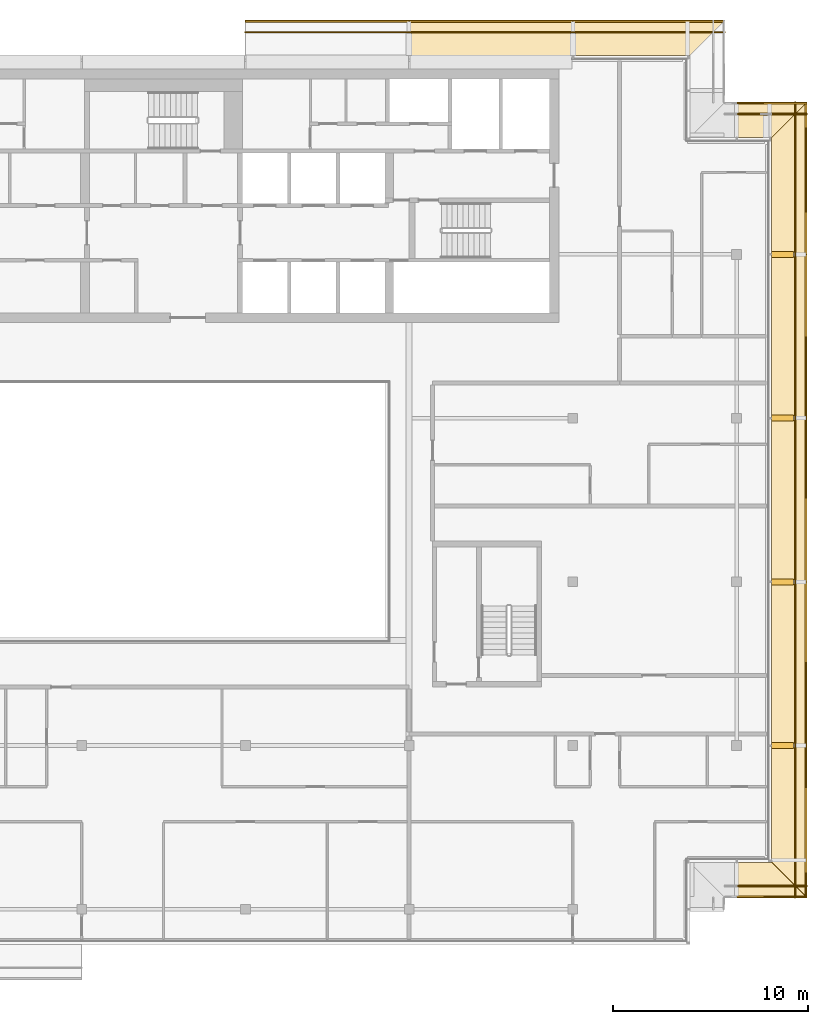
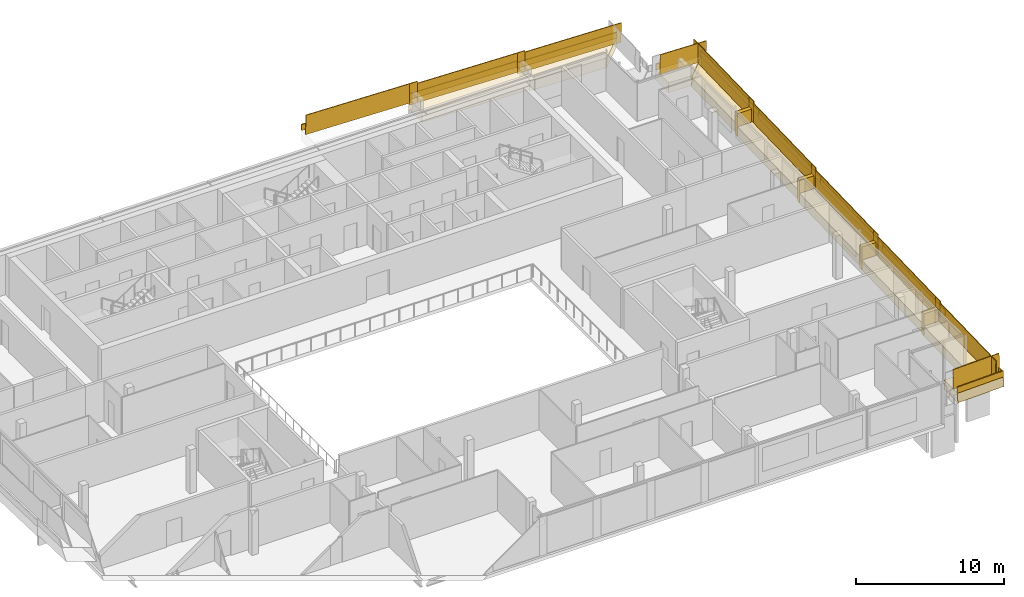
# One storey, part 25 of 27: 23 coverings, 16 railings.
"""IFC4 building model written with IfcOpenShell, lengths in metres."""

import ifcopenshell
import ifcopenshell.guid

model = None  # the IFC model being written
_history = None  # IfcOwnerHistory: only IFC2X3 demands one
_inside = {}  # id of a spatial element -> (the spatial element, [elements in it])
_under = {}  # id of a project, library or spatial element -> (it, [spatial elements below it])
_declared = {}  # id of a project -> (the project, [libraries it declares])
_typed = {}  # id of a type object -> (the type object, [elements of that type])
_made_of = {}  # id of a material, layer set ... -> (it, [elements and type objects made of it])


def new_model(schema):
    """Start an empty IFC model of exactly this schema.

    Asked for "IFC4X3", IfcOpenShell would pick the latest addendum, in which some entities
    have other attributes; the version numbers below select the first issue.
    IFC2X3 requires an IfcOwnerHistory on every rooted entity: one is made here for all.
    """
    global model, _history
    if schema == "IFC4X3":
        model = ifcopenshell.file(schema_version=(4, 3, 0, 0))
    else:
        model = ifcopenshell.file(schema=schema)
    _inside.clear()
    _under.clear()
    _declared.clear()
    _typed.clear()
    _made_of.clear()
    _history = None
    if model.schema == "IFC2X3":
        org = make("IfcOrganization", Name="unknown")
        user = make(
            "IfcPersonAndOrganization",
            ThePerson=make("IfcPerson", FamilyName="unknown"),
            TheOrganization=org,
        )
        app = make(
            "IfcApplication",
            ApplicationDeveloper=org,
            Version="unknown",
            ApplicationFullName="unknown",
            ApplicationIdentifier="unknown",
        )
        _history = make(
            "IfcOwnerHistory",
            OwningUser=user,
            OwningApplication=app,
            ChangeAction="ADDED",
            CreationDate=0,
        )
    return model


def make(cls, **values):
    """One entity of the class cls with the attributes given. An attribute that is None is left unset."""
    return model.create_entity(
        cls, **{name: value for name, value in values.items() if value is not None}
    )


def rooted(cls, **values):
    """An entity with a GlobalId (a new one), such as an element, a storey or a relation."""
    return make(cls, GlobalId=ifcopenshell.guid.new(), OwnerHistory=_history, **values)


def si_unit(unit_type, name, prefix=None):
    """IfcSIUnit, for example si_unit("LENGTHUNIT", "METRE", prefix="MILLI")."""
    return make("IfcSIUnit", UnitType=unit_type, Prefix=prefix, Name=name)


def assignment(units):
    """IfcUnitAssignment: the units of a project."""
    return None if units is None else make("IfcUnitAssignment", Units=units)


def point(xyz):
    """IfcCartesianPoint."""
    return None if xyz is None else make("IfcCartesianPoint", Coordinates=xyz)


def direction(xyz):
    """IfcDirection."""
    return None if xyz is None else make("IfcDirection", DirectionRatios=xyz)


def frame(location, z_axis=None, x_axis=None):
    """IfcAxis2Placement3D, a coordinate frame: its origin and axes. An axis left out is left unset."""
    return make(
        "IfcAxis2Placement3D",
        Location=point(location),
        Axis=direction(z_axis),
        RefDirection=direction(x_axis),
    )


def frame_2d(location, x_axis=None):
    """IfcAxis2Placement2D, a coordinate frame in the plane: its origin and x axis."""
    return make(
        "IfcAxis2Placement2D", Location=point(location), RefDirection=direction(x_axis)
    )


def origin():
    """The frame at (0, 0, 0) with its axes left unset."""
    return frame((0.0, 0.0, 0.0))


def origin_2d():
    """The frame at (0, 0) in the plane with its x axis left unset."""
    return frame_2d((0.0, 0.0))


def place(relative_to, where):
    """IfcLocalPlacement: puts the frame where relative to a parent placement (None: the world)."""
    return make(
        "IfcLocalPlacement", PlacementRelTo=relative_to, RelativePlacement=where
    )


def context(
    kind, dimensions, precision=None, world=None, true_north=None, identifier=None
):
    """IfcGeometricRepresentationContext, for example the 3D "Model" context."""
    return make(
        "IfcGeometricRepresentationContext",
        ContextIdentifier=identifier,
        ContextType=kind,
        CoordinateSpaceDimension=dimensions,
        Precision=precision,
        WorldCoordinateSystem=world,
        TrueNorth=true_north,
    )


def subcontext(parent, identifier, kind, view, scale=None):
    """IfcGeometricRepresentationSubContext, for example "Body" below "Model"."""
    return make(
        "IfcGeometricRepresentationSubContext",
        ContextIdentifier=identifier,
        ContextType=kind,
        ParentContext=parent,
        TargetScale=scale,
        TargetView=view,
    )


def project(units=None, contexts=None):
    """IfcProject with its units and contexts."""
    return rooted(
        "IfcProject",
        Name="project",
        RepresentationContexts=contexts,
        UnitsInContext=assignment(units),
    )


def spatial(cls, under=None, at=None, **own):
    """A site, building, storey or space (cls), placed at a placement, below another one or the project."""
    s = rooted(cls, ObjectPlacement=at, **own)
    if under is not None:
        _under.setdefault(under.id(), (under, []))[1].append(s)
    return s


def polyline(points):
    """IfcPolyline through the points."""
    return make("IfcPolyline", Points=[point(p) for p in points])


def profile(cls, at=None, kind="AREA", **sizes):
    """A parametric profile (cls). Its sizes go by their IFC names, for example OverallWidth=200.0."""
    return make(cls, ProfileType=kind, Position=at, **sizes)


def rectangle(**sizes):
    """IfcRectangleProfileDef."""
    return profile("IfcRectangleProfileDef", **sizes)


def outline(outer, holes=None, kind="AREA"):
    """IfcArbitraryClosedProfileDef: a profile drawn as a closed curve; with holes, ...WithVoids."""
    if holes is None:
        return make("IfcArbitraryClosedProfileDef", ProfileType=kind, OuterCurve=outer)
    return make(
        "IfcArbitraryProfileDefWithVoids",
        ProfileType=kind,
        OuterCurve=outer,
        InnerCurves=holes,
    )


def extrude(swept, where, along, depth):
    """IfcExtrudedAreaSolid: the profile swept, set in the frame where, extruded along a direction by depth."""
    return make(
        "IfcExtrudedAreaSolid",
        SweptArea=swept,
        Position=where,
        ExtrudedDirection=direction(along),
        Depth=depth,
    )


def shape(context_of_items, identifier, shape_type, items):
    """IfcShapeRepresentation: the items that make up one representation, for example the "Body"."""
    return make(
        "IfcShapeRepresentation",
        ContextOfItems=context_of_items,
        RepresentationIdentifier=identifier,
        RepresentationType=shape_type,
        Items=items,
    )


def material(Name=None, Category=None):
    """IfcMaterial."""
    return make("IfcMaterial", Name=Name, Category=Category)


def layer(
    of_material, thickness, ventilated=None, Name=None, Category=None, Priority=None
):
    """IfcMaterialLayer: one layer of a wall or slab, of a material (None: an air gap)."""
    return make(
        "IfcMaterialLayer",
        Material=of_material,
        LayerThickness=thickness,
        IsVentilated=ventilated,
        Name=Name,
        Category=Category,
        Priority=Priority,
    )


def layer_set(layers, Name=None):
    """IfcMaterialLayerSet."""
    return make("IfcMaterialLayerSet", MaterialLayers=layers, LayerSetName=Name)


def made_of(thing, what):
    """Note that an element or type object is made of a material, layer set ...; save() writes the relation."""
    if what is not None:
        _made_of.setdefault(what.id(), (what, []))[1].append(thing)
    return thing


def type_object(cls, material=None, **own):
    """A type object (cls), such as IfcWallType, which elements share."""
    return made_of(rooted(cls, **own), material)


def element(
    cls,
    number,
    at=None,
    inside=None,
    cuts=None,
    type_object=None,
    material=None,
    context=None,
    identifier="Body",
    shape_type=None,
    held_by="IfcProductDefinitionShape",
    body=None,
    shapes=None,
    **own,
):
    """One element of the class cls, such as IfcWall. Its Tag is "e" and its number.

    at: its placement. inside: the storey or other place that contains it. cuts: it is an
    opening in that element (IfcRelVoidsElement). A single representation is given by context,
    identifier, shape_type and body (its items); several are given by shapes. held_by: the class
    of the entity that holds the representations. save() writes the other relations.
    """
    e = rooted(cls, Tag="e%d" % number, ObjectPlacement=at, **own)
    if body is not None:
        shapes = [shape(context, identifier, shape_type, body)]
    if shapes is not None:
        e.Representation = make(held_by, Representations=shapes)
    if inside is not None:
        _inside.setdefault(inside.id(), (inside, []))[1].append(e)
    if cuts is not None:
        rooted(
            "IfcRelVoidsElement", RelatingBuildingElement=cuts, RelatedOpeningElement=e
        )
    if type_object is not None:
        _typed.setdefault(type_object.id(), (type_object, []))[1].append(e)
    return made_of(e, material)


def aggregate(whole, parts):
    """IfcRelAggregates: a whole, such as a stair, and the parts it consists of."""
    return rooted("IfcRelAggregates", RelatingObject=whole, RelatedObjects=parts)


def save(model, path):
    """Write the relations noted so far, then the file.

    IfcRelAggregates (storeys below a building ...), IfcRelContainedInSpatialStructure (elements
    in a storey), IfcRelDefinesByType, IfcRelAssociatesMaterial and IfcRelDeclares: one each for
    every whole, place, type object, material and project.
    """
    for whole, parts in _under.values():
        aggregate(whole, parts)
    for where, things in _inside.values():
        rooted(
            "IfcRelContainedInSpatialStructure",
            RelatedElements=things,
            RelatingStructure=where,
        )
    for kind, things in _typed.values():
        rooted("IfcRelDefinesByType", RelatedObjects=things, RelatingType=kind)
    for what, things in _made_of.values():
        rooted("IfcRelAssociatesMaterial", RelatedObjects=things, RelatingMaterial=what)
    for by, libraries in _declared.values():
        rooted("IfcRelDeclares", RelatingContext=by, RelatedDefinitions=libraries)
    model.write(path)


model = new_model("IFC4")

# Units and contexts
model_context = context("Model", 3, precision=1e-05, world=origin(), true_north=direction((0.0, 1.0)))
body_context = subcontext(model_context, "Body", "Model", "MODEL_VIEW")
ifc_project = project(units=[si_unit("LENGTHUNIT", "METRE"), si_unit("AREAUNIT", "SQUARE_METRE"), si_unit("VOLUMEUNIT", "CUBIC_METRE"), si_unit("PLANEANGLEUNIT", "RADIAN"), si_unit("MASSUNIT", "GRAM", prefix="KILO")], contexts=[model_context])

# Site, building, storey
site_placement = place(None, origin())
site = spatial("IfcSite", under=ifc_project, at=site_placement, CompositionType="ELEMENT")
building_placement = place(site_placement, origin())
building = spatial("IfcBuilding", under=site, at=building_placement, Name="Saffron Gate Tower", CompositionType="ELEMENT")
storey_placement = place(building_placement, frame((0.0, 0.0, 274.35009765625)))
storey = spatial("IfcBuildingStorey", under=building, at=storey_placement, Name="L66", CompositionType="ELEMENT", Elevation=274.35009765625)

# Coverings
ifc_material = material(Name="Timber, thermally modified ash", Category="wood")
ifc_layer_1 = layer(ifc_material, 0.800048828125)
ifc_layer_set_1 = layer_set([ifc_layer_1], Name="LD1 ledge timber")
covering_type_1 = type_object("IfcCoveringType", Name="LD1 ledge timber", PredefinedType="CLADDING", material=ifc_layer_set_1)
covering_1_placement = place(storey_placement, frame((117.0, 34.199951171875, 0.23388671875), z_axis=(-0.028831989003, -4.5191205e-05, 0.999584270769), x_axis=(0.999584271789, 2.041e-09, 0.028831989032)))
element("IfcCovering", 1, at=covering_1_placement, inside=storey, type_object=covering_type_1, Name="LEDGE", PredefinedType="CLADDING", context=body_context, shape_type="SweptSolid", body=[
    extrude(outline(polyline([(0.0, 0.0), (1.8007998167885757, 0.0), (3.6015925908427215, -1.800048837315338), (-3.6746077267916745e-09, -1.80004882628693), (0.0, 0.0)])), origin(), (0.0, 0.0, -1.0), 0.800048828125),
])
covering_2_placement = place(storey_placement, frame((118.800048828125, 34.199951171875, 0.321044921875), z_axis=(-2.391759e-05, -0.028789477025, 0.999585496814), x_axis=(1.72e-10, 0.9995854971, 0.028789477033)))
element("IfcCovering", 2, at=covering_2_placement, inside=storey, type_object=covering_type_1, Name="LEDGE", PredefinedType="CLADDING", context=body_context, shape_type="SweptSolid", body=[
    extrude(outline(polyline([(0.0, 0.0), (6.002489288687248, -8.470329472543003e-22), (6.002489288996045, -1.8000488276101398), (-1.800792782710612, -1.8000488299785034), (0.0, 0.0)])), origin(), (0.0, 0.0, -1.0), 0.800048828125),
])
covering_3_placement = place(storey_placement, frame((118.800048828125, 40.199951171875, 0.611572265625), z_axis=(0.0, -0.028790339263, 0.999585472266), x_axis=(0.0, 0.999585472266, 0.028790339263)))
element("IfcCovering", 3, at=covering_3_placement, inside=storey, type_object=covering_type_1, Name="LEDGE", PredefinedType="CLADDING", context=body_context, shape_type="SweptSolid", body=[
    extrude(outline(polyline([(0.0, 0.0), (8.403630022085892, 0.0), (8.403630022085892, -1.800048828125), (0.0, -1.800048828125), (0.0, 0.0)])), origin(), (0.0, 0.0, -1.0), 0.800048828125),
])
for number, where, z_axis, x_axis, name in (
    (4, (118.800048828125, 48.60009765625, 1.018310546875), (0.0, -0.028791175352, 0.999585448184), (0.0, 0.999585448184, 0.028791175352), "LEDGE"),
    (5, (118.800048828125, 57.0, 1.425048828125), (0.0, -0.028791175352, 0.999585448184), (0.0, 0.999585448184, 0.028791175352), "LEDGE"),
):
    element("IfcCovering", number, at=place(storey_placement, frame(where, z_axis=z_axis, x_axis=x_axis)), inside=storey, type_object=covering_type_1, Name=name, PredefinedType="CLADDING", context=body_context, shape_type="SweptSolid", body=[
        extrude(outline(polyline([(0.0, 0.0), (8.403385982666892, 0.0), (8.403385982666892, -1.800048828125), (0.0, -1.800048828125), (0.0, 0.0)])), origin(), (0.0, 0.0, -1.0), 0.800048828125),
    ])
covering_4_placement = place(storey_placement, frame((118.800048828125, 65.39990234375, 1.831787109375), z_axis=(2.391759e-05, -0.028789477025, 0.999585496814), x_axis=(-1.72e-10, 0.9995854971, 0.028789477033)))
element("IfcCovering", 6, at=covering_4_placement, inside=storey, type_object=covering_type_1, Name="LEDGE", PredefinedType="CLADDING", context=body_context, shape_type="SweptSolid", body=[
    extrude(outline(polyline([(0.0, 0.0), (6.002489288687248, 8.470329472543003e-22), (7.80328207139786, -1.8000488299785034), (-3.0879623774719253e-10, -1.8000488276101398), (0.0, 0.0)])), origin(), (0.0, 0.0, -1.0), 0.800048828125),
])
covering_5_placement = place(storey_placement, frame((118.800048828125, 71.39990234375, 2.122314453125), z_axis=(0.028786835276, 4.5191264e-05, 0.999585572161), x_axis=(-0.999585573182, 2.041e-09, 0.028786835305)))
element("IfcCovering", 7, at=covering_5_placement, inside=storey, type_object=covering_type_1, Name="LEDGE", PredefinedType="CLADDING", context=body_context, shape_type="SweptSolid", body=[
    extrude(outline(polyline([(0.0, 0.0), (1.8007927832406818, 0.0), (1.8007927869153135, -1.800048826286925), (-1.8007998076020133, -1.8000488373153904), (0.0, 0.0)])), origin(), (0.0, 0.0, -1.0), 0.800048828125),
])
covering_6_placement = place(storey_placement, frame((114.60009765625, 75.60009765625, 2.52880859375), z_axis=(0.028789985935, -2.2222876e-05, 0.999585482195), x_axis=(-0.999585482442, 1.48e-10, 0.028789985943)))
element("IfcCovering", 8, at=covering_6_placement, inside=storey, type_object=covering_type_1, Name="LEDGE", PredefinedType="CLADDING", context=body_context, shape_type="SweptSolid", body=[
    extrude(outline(polyline([(0.0, 0.0), (6.002489288708389, 0.0), (6.002489288974903, -1.7998046870555775), (-1.8005487432843987, -1.799804689099891), (0.0, 0.0)])), origin(), (0.0, 0.0, -1.0), 0.800048828125),
])
covering_7_placement = place(storey_placement, frame((108.60009765625, 75.60009765625, 2.8193359375), z_axis=(0.028790339263, 0.0, 0.999585472266), x_axis=(-0.999585472266, 0.0, 0.028790339263)))
element("IfcCovering", 9, at=covering_7_placement, inside=storey, type_object=covering_type_1, Name="LEDGE", PredefinedType="CLADDING", context=body_context, shape_type="SweptSolid", body=[
    extrude(outline(polyline([(0.0, 0.0), (8.403630022085892, 0.0), (8.403630022085892, -1.7998046875), (0.0, -1.7998046875), (0.0, 0.0)])), origin(), (0.0, 0.0, -1.0), 0.800048828125),
])
ifc_layer_2 = layer(ifc_material, 0.080078125)
ifc_layer_set_2 = layer_set([ifc_layer_2], Name="LD2 ledge planter trough")
covering_type_2 = type_object("IfcCoveringType", Name="LD2 ledge planter trough", PredefinedType="CLADDING", material=ifc_layer_set_2)
covering_8_placement = place(storey_placement, frame((117.0, 32.39990234375, 0.23388671875), z_axis=(0.0, -1.0, 0.0), x_axis=(0.99958492274, 0.0, 0.028809412191)))
element("IfcCovering", 10, at=covering_8_placement, inside=storey, type_object=covering_type_2, Name="LEDGE planter trough", PredefinedType="CLADDING", context=body_context, shape_type="SweptSolid", body=[
    extrude(outline(polyline([(0.0, 0.0), (3.601592595435983, 0.0), (3.6159973015313485, 0.4997924613700232), (0.014404706095365512, 0.4997924613700232), (0.0, 0.0)])), origin(), (0.0, 0.0, -1.0), 0.080078125),
])
covering_9_placement = place(storey_placement, frame((120.60009765625, 32.39990234375, 0.269287109375), z_axis=(1.0, 0.0, 0.0), x_axis=(0.0, 0.999585655924, 0.028783962047)))
element("IfcCovering", 11, at=covering_9_placement, inside=storey, type_object=covering_type_2, Name="LEDGE planter trough", PredefinedType="CLADDING", context=body_context, shape_type="SweptSolid", body=[
    extrude(outline(polyline([(0.0, 0.0), (7.803282071825423, 2.7755575615628914e-17), (7.817674052849086, 0.4997928279619612), (0.014391981023662846, 0.4997928279619612), (0.0, 0.0)])), origin(), (0.0, 0.0, -1.0), 0.080078125),
])
covering_10_placement = place(storey_placement, frame((120.60009765625, 40.199951171875, 0.611572265625), z_axis=(1.0, 0.0, 0.0), x_axis=(0.0, 0.999585472266, 0.028790339263)))
element("IfcCovering", 12, at=covering_10_placement, inside=storey, type_object=covering_type_2, Name="LEDGE planter trough", PredefinedType="CLADDING", context=body_context, shape_type="SweptSolid", body=[
    extrude(outline(polyline([(0.0, 0.0), (8.403630022085892, 0.0), (8.418025191717298, 0.4997927361329725), (0.014395169631405694, 0.4997927361329725), (0.0, 0.0)])), origin(), (0.0, 0.0, -1.0), 0.080078125),
])
for number, where, z_axis, x_axis, name in (
    (13, (120.60009765625, 48.60009765625, 1.018310546875), (1.0, 0.0, 0.0), (0.0, 0.999585448184, 0.028791175352), "LEDGE planter trough"),
    (14, (120.60009765625, 57.0, 1.425048828125), (1.0, 0.0, 0.0), (0.0, 0.999585448184, 0.028791175352), "LEDGE planter trough"),
):
    element("IfcCovering", number, at=place(storey_placement, frame(where, z_axis=z_axis, x_axis=x_axis)), inside=storey, type_object=covering_type_2, Name=name, PredefinedType="CLADDING", context=body_context, shape_type="SweptSolid", body=[
        extrude(outline(polyline([(0.0, 0.0), (8.403385982666892, 0.0), (8.417781570342743, 0.49979272409216496), (0.014395587675851172, 0.4997927240921649), (0.0, 0.0)])), origin(), (0.0, 0.0, -1.0), 0.080078125),
    ])
covering_11_placement = place(storey_placement, frame((120.60009765625, 65.39990234375, 1.831787109375), z_axis=(1.0, 0.0, 0.0), x_axis=(0.0, 0.999585655924, 0.028783962047)))
element("IfcCovering", 15, at=covering_11_placement, inside=storey, type_object=covering_type_2, Name="LEDGE planter trough", PredefinedType="CLADDING", context=body_context, shape_type="SweptSolid", body=[
    extrude(outline(polyline([(0.0, 0.0), (7.803282071825423, 2.7755575615628914e-17), (7.817674052849086, 0.4997928279619612), (0.014391981023662846, 0.4997928279619612), (0.0, 0.0)])), origin(), (0.0, 0.0, -1.0), 0.080078125),
])
covering_12_placement = place(storey_placement, frame((120.60009765625, 73.199951171875, 2.0703125), z_axis=(0.0, 1.0, 0.0), x_axis=(-0.99958492274, 0.0, 0.028809412191)))
element("IfcCovering", 16, at=covering_12_placement, inside=storey, type_object=covering_type_2, Name="LEDGE planter trough", PredefinedType="CLADDING", context=body_context, shape_type="SweptSolid", body=[
    extrude(outline(polyline([(0.0, 0.0), (3.601592595435983, 0.0), (3.6159973015313485, 0.4997924613700232), (0.014404706095365512, 0.4997924613700232), (0.0, 0.0)])), origin(), (0.0, 0.0, -1.0), 0.080078125),
])
covering_13_placement = place(storey_placement, frame((116.39990234375, 77.39990234375, 2.47705078125), z_axis=(0.0, 1.0, 0.0), x_axis=(-0.999585630001, 0.0, 0.028784862264)))
element("IfcCovering", 17, at=covering_13_placement, inside=storey, type_object=covering_type_2, Name="LEDGE planter trough", PredefinedType="CLADDING", context=body_context, shape_type="SweptSolid", body=[
    extrude(outline(polyline([(0.0, 0.0), (7.80303803236181, 2.7755575615628914e-17), (7.817430463493663, 0.4997928150004909), (0.014392431131853373, 0.49979281500049083), (0.0, 0.0)])), origin(), (0.0, 0.0, -1.0), 0.080078125),
])
covering_14_placement = place(storey_placement, frame((108.60009765625, 77.39990234375, 2.8193359375), z_axis=(0.0, 1.0, 0.0), x_axis=(-0.999585472266, 0.0, 0.028790339263)))
element("IfcCovering", 18, at=covering_14_placement, inside=storey, type_object=covering_type_2, Name="LEDGE planter trough", PredefinedType="CLADDING", context=body_context, shape_type="SweptSolid", body=[
    extrude(outline(polyline([(0.0, 0.0), (8.403630022085892, 0.0), (8.418025191717298, 0.4997927361329725), (0.014395169631405694, 0.4997927361329725), (0.0, 0.0)])), origin(), (0.0, 0.0, -1.0), 0.080078125),
])
covering_15_placement = place(storey_placement, frame((100.199951171875, 77.39990234375, 3.22607421875), z_axis=(0.0, 1.0, 0.0), x_axis=(-0.999585448184, 0.0, 0.028791175352)))
element("IfcCovering", 19, at=covering_15_placement, inside=storey, type_object=covering_type_2, Name="LEDGE planter trough", PredefinedType="CLADDING", context=body_context, shape_type="SweptSolid", body=[
    extrude(outline(polyline([(0.0, 0.0), (8.403385982666892, 0.0), (8.417781570342743, 0.49979272409216496), (0.014395587675851172, 0.4997927240921649), (0.0, 0.0)])), origin(), (0.0, 0.0, -1.0), 0.080078125),
])
ifc_layer_3 = layer(ifc_material, 0.300048828125)
ifc_layer_set_3 = layer_set([ifc_layer_3], Name="LD3 ledge riser fin")
covering_type_3 = type_object("IfcCoveringType", Name="LD3 ledge riser fin", PredefinedType="CLADDING", material=ifc_layer_set_3)
covering_16_placement = place(storey_placement, frame((119.360107421875, 40.199951171875, -0.30615234375), z_axis=(0.0, 0.0, 1.0), x_axis=(0.0, 1.0, 0.0)))
element("IfcCovering", 20, at=covering_16_placement, inside=storey, type_object=covering_type_3, Name="LEDGE riser fin", PredefinedType="CLADDING", context=body_context, shape_type="SweptSolid", body=[
    extrude(rectangle(XDim=0.300048828125, YDim=1.1201171875, at=origin_2d()), origin(), (0.0, 0.0, 1.0), 1.817626953125),
])
for number, where, z_axis, x_axis, name in (
    (21, (119.360107421875, 48.60009765625, 0.053466796875), (0.0, 0.0, 1.0), (0.0, 1.0, 0.0), "LEDGE riser fin"),
    (22, (119.360107421875, 57.0, 0.460205078125), (0.0, 0.0, 1.0), (0.0, 1.0, 0.0), "LEDGE riser fin"),
    (23, (119.360107421875, 65.39990234375, 0.866943359375), (0.0, 0.0, 1.0), (0.0, 1.0, 0.0), "LEDGE riser fin"),
):
    element("IfcCovering", number, at=place(storey_placement, frame(where, z_axis=z_axis, x_axis=x_axis)), inside=storey, type_object=covering_type_3, Name=name, PredefinedType="CLADDING", context=body_context, shape_type="SweptSolid", body=[
        extrude(rectangle(XDim=0.300048828125, YDim=1.1201171875, at=origin_2d()), origin(), (0.0, 0.0, 1.0), 1.86474609375),
    ])

# Railings
railing_type = type_object("IfcRailingType", Name="LG1 ledge balustrade", PredefinedType="BALUSTRADE", material=ifc_material)
railing_1_placement = place(storey_placement, frame((117.0, 33.0, 0.23388671875)))
element("IfcRailing", 24, at=railing_1_placement, inside=storey, type_object=railing_type, Name="LEDGE BALUSTRADE", PredefinedType="BALUSTRADE", context=body_context, shape_type="SweptSolid", body=[
    extrude(rectangle(XDim=0.06005859375, YDim=1.60009765625, at=origin_2d()), frame((0.0, 0.0, 0.800048828125), z_axis=(0.99958492274, 0.0, 0.028809412191), x_axis=(0.0, 1.0, 0.0)), (0.0, 0.0, 1.0), 3.6015625),
])
railing_2_placement = place(storey_placement, frame((120.0, 32.39990234375, 0.269287109375)))
element("IfcRailing", 25, at=railing_2_placement, inside=storey, type_object=railing_type, Name="LEDGE BALUSTRADE", PredefinedType="BALUSTRADE", context=body_context, shape_type="SweptSolid", body=[
    extrude(rectangle(XDim=0.06005859375, YDim=1.60009765625, at=origin_2d()), frame((0.0, 0.0, 0.800048828125), z_axis=(0.0, 0.999585655924, 0.028783962047), x_axis=(-1.0, 0.0, 0.0)), (0.0, 0.0, 1.0), 7.80322265625),
])
railing_3_placement = place(storey_placement, frame((120.0, 40.199951171875, 0.611572265625)))
element("IfcRailing", 26, at=railing_3_placement, inside=storey, type_object=railing_type, Name="LEDGE BALUSTRADE", PredefinedType="BALUSTRADE", context=body_context, shape_type="SweptSolid", body=[
    extrude(rectangle(XDim=0.06005859375, YDim=1.60009765625, at=origin_2d()), frame((0.0, 0.0, 0.800048828125), z_axis=(0.0, 0.999585472266, 0.028790339263), x_axis=(-1.0, 0.0, 0.0)), (0.0, 0.0, 1.0), 8.403564453125),
])
railing_4_placement = place(storey_placement, frame((120.0, 39.89990234375, 0.493896484375)))
element("IfcRailing", 27, at=railing_4_placement, inside=storey, type_object=railing_type, Name="LEDGE BALUSTRADE", PredefinedType="BALUSTRADE", context=body_context, shape_type="SweptSolid", body=[
    extrude(rectangle(XDim=0.06005859375, YDim=1.7177734375, at=origin_2d()), frame((0.0, 0.0, 0.85888671875), z_axis=(0.0, 1.0, 0.0), x_axis=(-1.0, 0.0, 0.0)), (0.0, 0.0, 1.0), 0.60009765625),
])
railing_5_placement = place(storey_placement, frame((120.0, 48.60009765625, 1.018310546875)))
element("IfcRailing", 28, at=railing_5_placement, inside=storey, type_object=railing_type, Name="LEDGE BALUSTRADE", PredefinedType="BALUSTRADE", context=body_context, shape_type="SweptSolid", body=[
    extrude(rectangle(XDim=0.06005859375, YDim=1.60009765625, at=origin_2d()), frame((0.0, 0.0, 0.800048828125), z_axis=(0.0, 0.999585448184, 0.028791175352), x_axis=(-1.0, 0.0, 0.0)), (0.0, 0.0, 1.0), 8.4033203125),
])
railing_6_placement = place(storey_placement, frame((120.0, 48.300048828125, 0.853515625)))
element("IfcRailing", 29, at=railing_6_placement, inside=storey, type_object=railing_type, Name="LEDGE BALUSTRADE", PredefinedType="BALUSTRADE", context=body_context, shape_type="SweptSolid", body=[
    extrude(rectangle(XDim=0.06005859375, YDim=1.7646484375, at=origin_2d()), frame((0.0, 0.0, 0.88232421875), z_axis=(0.0, 1.0, 0.0), x_axis=(-1.0, 0.0, 0.0)), (0.0, 0.0, 1.0), 0.599853515625),
])
railing_7_placement = place(storey_placement, frame((120.0, 57.0, 1.425048828125)))
element("IfcRailing", 30, at=railing_7_placement, inside=storey, type_object=railing_type, Name="LEDGE BALUSTRADE", PredefinedType="BALUSTRADE", context=body_context, shape_type="SweptSolid", body=[
    extrude(rectangle(XDim=0.06005859375, YDim=1.60009765625, at=origin_2d()), frame((0.0, 0.0, 0.800048828125), z_axis=(0.0, 0.999585448184, 0.028791175352), x_axis=(-1.0, 0.0, 0.0)), (0.0, 0.0, 1.0), 8.4033203125),
])
railing_8_placement = place(storey_placement, frame((120.0, 56.699951171875, 1.26025390625)))
element("IfcRailing", 31, at=railing_8_placement, inside=storey, type_object=railing_type, Name="LEDGE BALUSTRADE", PredefinedType="BALUSTRADE", context=body_context, shape_type="SweptSolid", body=[
    extrude(rectangle(XDim=0.06005859375, YDim=1.7646484375, at=origin_2d()), frame((0.0, 0.0, 0.88232421875), z_axis=(0.0, 1.0, 0.0), x_axis=(-1.0, 0.0, 0.0)), (0.0, 0.0, 1.0), 0.60009765625),
])
railing_9_placement = place(storey_placement, frame((120.0, 65.39990234375, 1.831787109375)))
element("IfcRailing", 32, at=railing_9_placement, inside=storey, type_object=railing_type, Name="LEDGE BALUSTRADE", PredefinedType="BALUSTRADE", context=body_context, shape_type="SweptSolid", body=[
    extrude(rectangle(XDim=0.06005859375, YDim=1.60009765625, at=origin_2d()), frame((0.0, 0.0, 0.800048828125), z_axis=(0.0, 0.999585655924, 0.028783962047), x_axis=(-1.0, 0.0, 0.0)), (0.0, 0.0, 1.0), 7.80322265625),
])
railing_10_placement = place(storey_placement, frame((120.0, 65.10009765625, 1.6669921875)))
element("IfcRailing", 33, at=railing_10_placement, inside=storey, type_object=railing_type, Name="LEDGE BALUSTRADE", PredefinedType="BALUSTRADE", context=body_context, shape_type="SweptSolid", body=[
    extrude(rectangle(XDim=0.06005859375, YDim=1.7646484375, at=origin_2d()), frame((0.0, 0.0, 0.88232421875), z_axis=(0.0, 1.0, 0.0), x_axis=(-1.0, 0.0, 0.0)), (0.0, 0.0, 1.0), 0.599853515625),
])
railing_11_placement = place(storey_placement, frame((120.60009765625, 72.60009765625, 2.0703125)))
element("IfcRailing", 34, at=railing_11_placement, inside=storey, type_object=railing_type, Name="LEDGE BALUSTRADE", PredefinedType="BALUSTRADE", context=body_context, shape_type="SweptSolid", body=[
    extrude(rectangle(XDim=0.06005859375, YDim=1.60009765625, at=origin_2d()), frame((0.0, 0.0, 0.800048828125), z_axis=(-0.99958492274, 0.0, 0.028809412191), x_axis=(0.0, -1.0, 0.0)), (0.0, 0.0, 1.0), 3.6015625),
])
railing_12_placement = place(storey_placement, frame((116.39990234375, 76.800048828125, 2.47705078125)))
element("IfcRailing", 35, at=railing_12_placement, inside=storey, type_object=railing_type, Name="LEDGE BALUSTRADE", PredefinedType="BALUSTRADE", context=body_context, shape_type="SweptSolid", body=[
    extrude(rectangle(XDim=0.06005859375, YDim=1.60009765625, at=origin_2d()), frame((0.0, 0.0, 0.800048828125), z_axis=(-0.999585630001, 0.0, 0.028784862264), x_axis=(0.0, -1.0, 0.0)), (0.0, 0.0, 1.0), 7.802978515625),
])
railing_13_placement = place(storey_placement, frame((108.60009765625, 76.800048828125, 2.8193359375)))
element("IfcRailing", 36, at=railing_13_placement, inside=storey, type_object=railing_type, Name="LEDGE BALUSTRADE", PredefinedType="BALUSTRADE", context=body_context, shape_type="SweptSolid", body=[
    extrude(rectangle(XDim=0.06005859375, YDim=1.60009765625, at=origin_2d()), frame((0.0, 0.0, 0.800048828125), z_axis=(-0.999585472266, 0.0, 0.028790339263), x_axis=(0.0, -1.0, 0.0)), (0.0, 0.0, 1.0), 8.403564453125),
])
railing_14_placement = place(storey_placement, frame((108.89990234375, 76.800048828125, 2.70166015625)))
element("IfcRailing", 37, at=railing_14_placement, inside=storey, type_object=railing_type, Name="LEDGE BALUSTRADE", PredefinedType="BALUSTRADE", context=body_context, shape_type="SweptSolid", body=[
    extrude(rectangle(XDim=0.06005859375, YDim=1.7177734375, at=origin_2d()), frame((0.0, 0.0, 0.85888671875), z_axis=(-1.0, 0.0, 0.0), x_axis=(0.0, -1.0, 0.0)), (0.0, 0.0, 1.0), 0.599853515625),
])
railing_15_placement = place(storey_placement, frame((100.199951171875, 76.800048828125, 3.22607421875)))
element("IfcRailing", 38, at=railing_15_placement, inside=storey, type_object=railing_type, Name="LEDGE BALUSTRADE", PredefinedType="BALUSTRADE", context=body_context, shape_type="SweptSolid", body=[
    extrude(rectangle(XDim=0.06005859375, YDim=1.60009765625, at=origin_2d()), frame((0.0, 0.0, 0.800048828125), z_axis=(-0.999585448184, 0.0, 0.028791175352), x_axis=(0.0, -1.0, 0.0)), (0.0, 0.0, 1.0), 8.4033203125),
])
railing_16_placement = place(storey_placement, frame((100.5, 76.800048828125, 3.061279296875)))
element("IfcRailing", 39, at=railing_16_placement, inside=storey, type_object=railing_type, Name="LEDGE BALUSTRADE", PredefinedType="BALUSTRADE", context=body_context, shape_type="SweptSolid", body=[
    extrude(rectangle(XDim=0.06005859375, YDim=1.7646484375, at=origin_2d()), frame((0.0, 0.0, 0.88232421875), z_axis=(-1.0, 0.0, 0.0), x_axis=(0.0, -1.0, 0.0)), (0.0, 0.0, 1.0), 0.60009765625),
])

save(model, "model.ifc")
